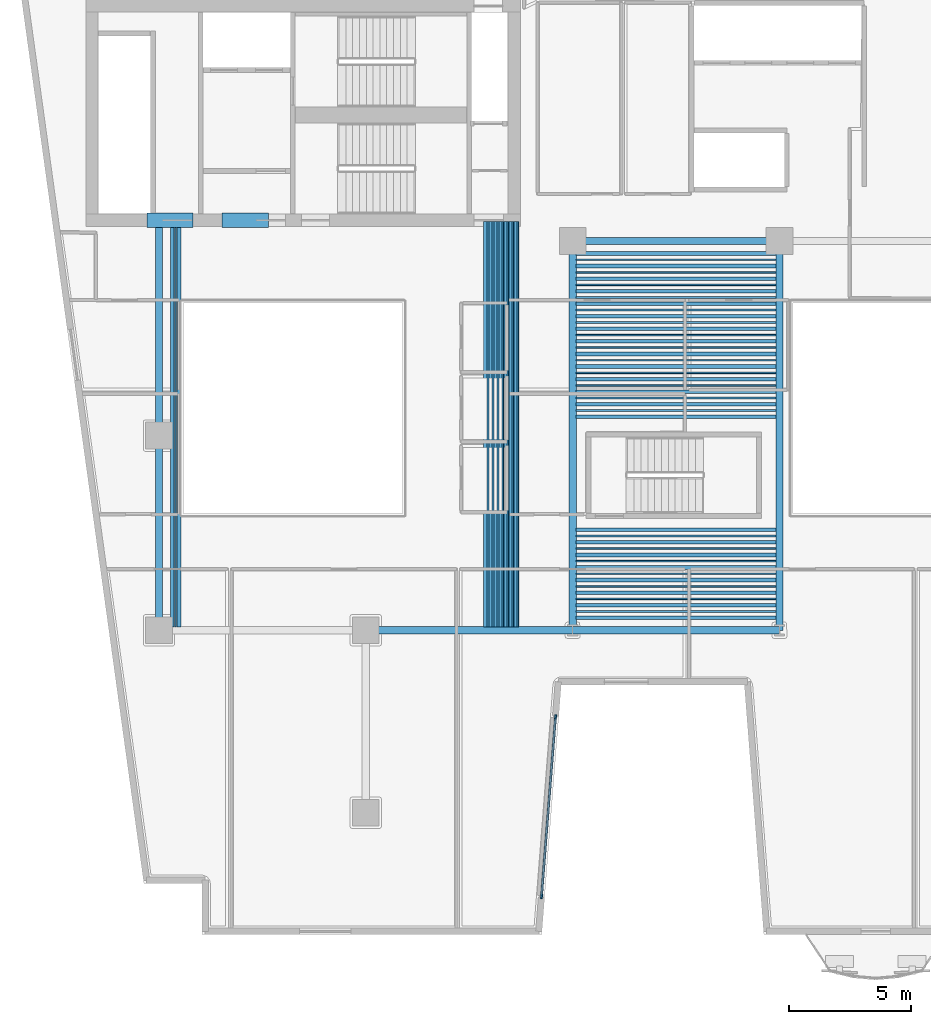
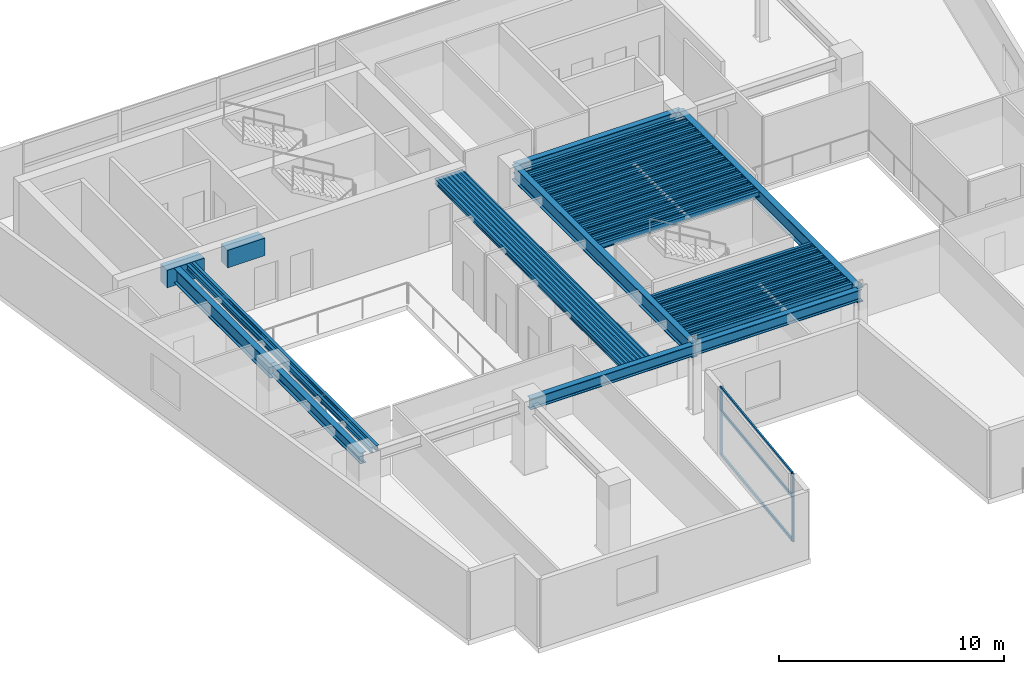
# One storey, part 2 of 13: 68 beams, 5 members, 1 element without a shape of its own.
"""IFC4 building model written with IfcOpenShell, lengths in metres."""

import ifcopenshell
import ifcopenshell.guid

model = None  # the IFC model being written
_history = None  # IfcOwnerHistory: only IFC2X3 demands one
_inside = {}  # id of a spatial element -> (the spatial element, [elements in it])
_under = {}  # id of a project, library or spatial element -> (it, [spatial elements below it])
_declared = {}  # id of a project -> (the project, [libraries it declares])
_typed = {}  # id of a type object -> (the type object, [elements of that type])
_made_of = {}  # id of a material, layer set ... -> (it, [elements and type objects made of it])


def new_model(schema):
    """Start an empty IFC model of exactly this schema.

    Asked for "IFC4X3", IfcOpenShell would pick the latest addendum, in which some entities
    have other attributes; the version numbers below select the first issue.
    IFC2X3 requires an IfcOwnerHistory on every rooted entity: one is made here for all.
    """
    global model, _history
    if schema == "IFC4X3":
        model = ifcopenshell.file(schema_version=(4, 3, 0, 0))
    else:
        model = ifcopenshell.file(schema=schema)
    _inside.clear()
    _under.clear()
    _declared.clear()
    _typed.clear()
    _made_of.clear()
    _history = None
    if model.schema == "IFC2X3":
        org = make("IfcOrganization", Name="unknown")
        user = make(
            "IfcPersonAndOrganization",
            ThePerson=make("IfcPerson", FamilyName="unknown"),
            TheOrganization=org,
        )
        app = make(
            "IfcApplication",
            ApplicationDeveloper=org,
            Version="unknown",
            ApplicationFullName="unknown",
            ApplicationIdentifier="unknown",
        )
        _history = make(
            "IfcOwnerHistory",
            OwningUser=user,
            OwningApplication=app,
            ChangeAction="ADDED",
            CreationDate=0,
        )
    return model


def make(cls, **values):
    """One entity of the class cls with the attributes given. An attribute that is None is left unset."""
    return model.create_entity(
        cls, **{name: value for name, value in values.items() if value is not None}
    )


def rooted(cls, **values):
    """An entity with a GlobalId (a new one), such as an element, a storey or a relation."""
    return make(cls, GlobalId=ifcopenshell.guid.new(), OwnerHistory=_history, **values)


def si_unit(unit_type, name, prefix=None):
    """IfcSIUnit, for example si_unit("LENGTHUNIT", "METRE", prefix="MILLI")."""
    return make("IfcSIUnit", UnitType=unit_type, Prefix=prefix, Name=name)


def assignment(units):
    """IfcUnitAssignment: the units of a project."""
    return None if units is None else make("IfcUnitAssignment", Units=units)


def point(xyz):
    """IfcCartesianPoint."""
    return None if xyz is None else make("IfcCartesianPoint", Coordinates=xyz)


def direction(xyz):
    """IfcDirection."""
    return None if xyz is None else make("IfcDirection", DirectionRatios=xyz)


def frame(location, z_axis=None, x_axis=None):
    """IfcAxis2Placement3D, a coordinate frame: its origin and axes. An axis left out is left unset."""
    return make(
        "IfcAxis2Placement3D",
        Location=point(location),
        Axis=direction(z_axis),
        RefDirection=direction(x_axis),
    )


def frame_2d(location, x_axis=None):
    """IfcAxis2Placement2D, a coordinate frame in the plane: its origin and x axis."""
    return make(
        "IfcAxis2Placement2D", Location=point(location), RefDirection=direction(x_axis)
    )


def origin():
    """The frame at (0, 0, 0) with its axes left unset."""
    return frame((0.0, 0.0, 0.0))


def origin_2d():
    """The frame at (0, 0) in the plane with its x axis left unset."""
    return frame_2d((0.0, 0.0))


def place(relative_to, where):
    """IfcLocalPlacement: puts the frame where relative to a parent placement (None: the world)."""
    return make(
        "IfcLocalPlacement", PlacementRelTo=relative_to, RelativePlacement=where
    )


def context(
    kind, dimensions, precision=None, world=None, true_north=None, identifier=None
):
    """IfcGeometricRepresentationContext, for example the 3D "Model" context."""
    return make(
        "IfcGeometricRepresentationContext",
        ContextIdentifier=identifier,
        ContextType=kind,
        CoordinateSpaceDimension=dimensions,
        Precision=precision,
        WorldCoordinateSystem=world,
        TrueNorth=true_north,
    )


def subcontext(parent, identifier, kind, view, scale=None):
    """IfcGeometricRepresentationSubContext, for example "Body" below "Model"."""
    return make(
        "IfcGeometricRepresentationSubContext",
        ContextIdentifier=identifier,
        ContextType=kind,
        ParentContext=parent,
        TargetScale=scale,
        TargetView=view,
    )


def project(units=None, contexts=None):
    """IfcProject with its units and contexts."""
    return rooted(
        "IfcProject",
        Name="project",
        RepresentationContexts=contexts,
        UnitsInContext=assignment(units),
    )


def spatial(cls, under=None, at=None, **own):
    """A site, building, storey or space (cls), placed at a placement, below another one or the project."""
    s = rooted(cls, ObjectPlacement=at, **own)
    if under is not None:
        _under.setdefault(under.id(), (under, []))[1].append(s)
    return s


def profile(cls, at=None, kind="AREA", **sizes):
    """A parametric profile (cls). Its sizes go by their IFC names, for example OverallWidth=200.0."""
    return make(cls, ProfileType=kind, Position=at, **sizes)


def rectangle(**sizes):
    """IfcRectangleProfileDef."""
    return profile("IfcRectangleProfileDef", **sizes)


def hollow_rectangle(**sizes):
    """IfcRectangleHollowProfileDef."""
    return profile("IfcRectangleHollowProfileDef", **sizes)


def i_section(**sizes):
    """IfcIShapeProfileDef."""
    return profile("IfcIShapeProfileDef", **sizes)


def extrude(swept, where, along, depth):
    """IfcExtrudedAreaSolid: the profile swept, set in the frame where, extruded along a direction by depth."""
    return make(
        "IfcExtrudedAreaSolid",
        SweptArea=swept,
        Position=where,
        ExtrudedDirection=direction(along),
        Depth=depth,
    )


def shape(context_of_items, identifier, shape_type, items):
    """IfcShapeRepresentation: the items that make up one representation, for example the "Body"."""
    return make(
        "IfcShapeRepresentation",
        ContextOfItems=context_of_items,
        RepresentationIdentifier=identifier,
        RepresentationType=shape_type,
        Items=items,
    )


def material(Name=None, Category=None):
    """IfcMaterial."""
    return make("IfcMaterial", Name=Name, Category=Category)


def layer(
    of_material, thickness, ventilated=None, Name=None, Category=None, Priority=None
):
    """IfcMaterialLayer: one layer of a wall or slab, of a material (None: an air gap)."""
    return make(
        "IfcMaterialLayer",
        Material=of_material,
        LayerThickness=thickness,
        IsVentilated=ventilated,
        Name=Name,
        Category=Category,
        Priority=Priority,
    )


def layer_set(layers, Name=None):
    """IfcMaterialLayerSet."""
    return make("IfcMaterialLayerSet", MaterialLayers=layers, LayerSetName=Name)


def material_profile(
    of_material, cross_section, Name=None, Category=None, Priority=None
):
    """IfcMaterialProfile: a cross section and its material."""
    return make(
        "IfcMaterialProfile",
        Name=Name,
        Material=of_material,
        Profile=cross_section,
        Priority=Priority,
        Category=Category,
    )


def profile_set(profiles, Name=None, composite=None):
    """IfcMaterialProfileSet."""
    return make(
        "IfcMaterialProfileSet",
        Name=Name,
        MaterialProfiles=profiles,
        CompositeProfile=composite,
    )


def made_of(thing, what):
    """Note that an element or type object is made of a material, layer set ...; save() writes the relation."""
    if what is not None:
        _made_of.setdefault(what.id(), (what, []))[1].append(thing)
    return thing


def type_object(cls, material=None, **own):
    """A type object (cls), such as IfcWallType, which elements share."""
    return made_of(rooted(cls, **own), material)


def element(
    cls,
    number,
    at=None,
    inside=None,
    cuts=None,
    type_object=None,
    material=None,
    context=None,
    identifier="Body",
    shape_type=None,
    held_by="IfcProductDefinitionShape",
    body=None,
    shapes=None,
    **own,
):
    """One element of the class cls, such as IfcWall. Its Tag is "e" and its number.

    at: its placement. inside: the storey or other place that contains it. cuts: it is an
    opening in that element (IfcRelVoidsElement). A single representation is given by context,
    identifier, shape_type and body (its items); several are given by shapes. held_by: the class
    of the entity that holds the representations. save() writes the other relations.
    """
    e = rooted(cls, Tag="e%d" % number, ObjectPlacement=at, **own)
    if body is not None:
        shapes = [shape(context, identifier, shape_type, body)]
    if shapes is not None:
        e.Representation = make(held_by, Representations=shapes)
    if inside is not None:
        _inside.setdefault(inside.id(), (inside, []))[1].append(e)
    if cuts is not None:
        rooted(
            "IfcRelVoidsElement", RelatingBuildingElement=cuts, RelatedOpeningElement=e
        )
    if type_object is not None:
        _typed.setdefault(type_object.id(), (type_object, []))[1].append(e)
    return made_of(e, material)


def aggregate(whole, parts):
    """IfcRelAggregates: a whole, such as a stair, and the parts it consists of."""
    return rooted("IfcRelAggregates", RelatingObject=whole, RelatedObjects=parts)


def save(model, path):
    """Write the relations noted so far, then the file.

    IfcRelAggregates (storeys below a building ...), IfcRelContainedInSpatialStructure (elements
    in a storey), IfcRelDefinesByType, IfcRelAssociatesMaterial and IfcRelDeclares: one each for
    every whole, place, type object, material and project.
    """
    for whole, parts in _under.values():
        aggregate(whole, parts)
    for where, things in _inside.values():
        rooted(
            "IfcRelContainedInSpatialStructure",
            RelatedElements=things,
            RelatingStructure=where,
        )
    for kind, things in _typed.values():
        rooted("IfcRelDefinesByType", RelatedObjects=things, RelatingType=kind)
    for what, things in _made_of.values():
        rooted("IfcRelAssociatesMaterial", RelatedObjects=things, RelatingMaterial=what)
    for by, libraries in _declared.values():
        rooted("IfcRelDeclares", RelatingContext=by, RelatedDefinitions=libraries)
    model.write(path)


model = new_model("IFC4")

# Units and contexts
model_context = context("Model", 3, precision=1e-05, world=origin(), true_north=direction((0.0, 1.0)))
body_context = subcontext(model_context, "Body", "Model", "MODEL_VIEW")
ifc_project = project(units=[si_unit("LENGTHUNIT", "METRE"), si_unit("AREAUNIT", "SQUARE_METRE"), si_unit("VOLUMEUNIT", "CUBIC_METRE"), si_unit("PLANEANGLEUNIT", "RADIAN"), si_unit("MASSUNIT", "GRAM", prefix="KILO")], contexts=[model_context])

# Site, building, storey
site_placement = place(None, origin())
site = spatial("IfcSite", under=ifc_project, at=site_placement, CompositionType="ELEMENT")
building_placement = place(site_placement, origin())
building = spatial("IfcBuilding", under=site, at=building_placement, Name="Caeloran Harvest Quay", CompositionType="ELEMENT")
storey_placement = place(building_placement, frame((0.0, 0.0, 162.75)))
storey = spatial("IfcBuildingStorey", under=building, at=storey_placement, Name="L38", CompositionType="ELEMENT", Elevation=162.75)

# Beams
ifc_material_1 = material(Name="Concrete C60/75", Category="concrete")
ifc_material_profile_1 = material_profile(ifc_material_1, rectangle(XDim=0.60009765625, YDim=0.949951171875, at=origin_2d()), Name="RC 600x950")
ifc_profile_set_1 = profile_set([ifc_material_profile_1], Name="Concrete C60/75")
beam_type_1 = type_object("IfcBeamType", Name="BM-CB-2-RC_600x950", PredefinedType="LINTEL", material=ifc_profile_set_1)
for number, where, z_axis, x_axis, name in (
    (1, (8.0, 31.85009765625, 3.215087890625), (1.0, 0.0, 0.0), (0.0, 1.0, 0.0), "L38 Core Coupling Beam 1"),
    (2, (11.10009765625, 31.85009765625, 3.215087890625), (1.0, 0.0, 0.0), (0.0, 1.0, 0.0), "L38 Core Coupling Beam 2"),
):
    element("IfcBeam", number, at=place(storey_placement, frame(where, z_axis=z_axis, x_axis=x_axis)), inside=storey, type_object=beam_type_1, Name=name, PredefinedType="LINTEL", context=body_context, shape_type="SweptSolid", body=[
        extrude(rectangle(XDim=0.60009765625, YDim=0.949951171875, at=origin_2d()), origin(), (0.0, 0.0, 1.0), 1.89990234375),
    ])
ifc_material_2 = material(Name="Steel S355J2", Category="steel")
ifc_material_profile_2 = material_profile(ifc_material_2, i_section(OverallWidth=0.300048828125, OverallDepth=0.800048828125, WebThickness=0.017578125, FlangeThickness=0.032958984375, FilletRadius=0.030029296875, at=origin_2d()), Name="HE 800 B")
ifc_profile_set_2 = profile_set([ifc_material_profile_2], Name="Steel S355J2")
beam_type_2 = type_object("IfcBeamType", Name="BM-PG-1-HE_800_B", PredefinedType="BEAM", material=ifc_profile_set_2)
beam_1_placement = place(storey_placement, frame((8.5, 23.0, 3.2900390625), z_axis=(0.0, 1.0, 0.0), x_axis=(-1.0, 0.0, 0.0)))
element("IfcBeam", 3, at=beam_1_placement, inside=storey, type_object=beam_type_2, Name="L38 Core South Tie Girder X=8.5", PredefinedType="BEAM", context=body_context, shape_type="SweptSolid", body=[
    extrude(i_section(OverallWidth=0.300048828125, OverallDepth=0.800048828125, WebThickness=0.017578125, FlangeThickness=0.032958984375, FilletRadius=0.030029296875, at=origin_2d()), origin(), (0.0, 0.0, 1.0), 8.800048828125),
])
for number, where, z_axis, x_axis, name in (
    (4, (25.5, 15.0, 3.2900390625), (0.0, 1.0, 0.0), (-1.0, 0.0, 0.0), "L38 Primary North-South Girder X=25.5"),
    (5, (34.0, 15.0, 3.2900390625), (0.0, 1.0, 0.0), (-1.0, 0.0, 0.0), "L38 Primary North-South Girder X=34.0"),
):
    element("IfcBeam", number, at=place(storey_placement, frame(where, z_axis=z_axis, x_axis=x_axis)), inside=storey, type_object=beam_type_2, Name=name, PredefinedType="BEAM", context=body_context, shape_type="SweptSolid", body=[
        extrude(i_section(OverallWidth=0.300048828125, OverallDepth=0.800048828125, WebThickness=0.017578125, FlangeThickness=0.032958984375, FilletRadius=0.030029296875, at=origin_2d()), origin(), (0.0, 0.0, 1.0), 16.0),
    ])
ifc_material_profile_3 = material_profile(ifc_material_2, i_section(OverallWidth=0.300048828125, OverallDepth=0.60009765625, WebThickness=0.015380859375, FlangeThickness=0.030029296875, FilletRadius=0.027099609375, at=origin_2d()), Name="HE 600 B")
ifc_profile_set_3 = profile_set([ifc_material_profile_3], Name="Steel S355J2")
beam_type_3 = type_object("IfcBeamType", Name="BM-PG-3-HE_600_B", PredefinedType="BEAM", material=ifc_profile_set_3)
for number, where, z_axis, x_axis, name in (
    (6, (17.0, 15.0, 3.389892578125), (1.0, 0.0, 0.0), (0.0, 1.0, 0.0), "L38 Primary East-West Girder Y=15.0"),
    (7, (25.5, 15.0, 3.389892578125), (1.0, 0.0, 0.0), (0.0, 1.0, 0.0), "L38 Primary East-West Girder Y=15.0"),
    (8, (25.5, 31.0, 3.389892578125), (1.0, 0.0, 0.0), (0.0, 1.0, 0.0), "L38 Primary East-West Girder Y=31.0"),
):
    element("IfcBeam", number, at=place(storey_placement, frame(where, z_axis=z_axis, x_axis=x_axis)), inside=storey, type_object=beam_type_3, Name=name, PredefinedType="BEAM", context=body_context, shape_type="SweptSolid", body=[
        extrude(i_section(OverallWidth=0.300048828125, OverallDepth=0.60009765625, WebThickness=0.015380859375, FlangeThickness=0.030029296875, FilletRadius=0.027099609375, at=origin_2d()), origin(), (0.0, 0.0, 1.0), 8.5),
    ])
beam_2_placement = place(storey_placement, frame((8.5, 15.0, 3.389892578125), z_axis=(0.0, 1.0, 0.0), x_axis=(-1.0, 0.0, 0.0)))
element("IfcBeam", 9, at=beam_2_placement, inside=storey, type_object=beam_type_3, Name="L38 Primary North-South Girder X=8.5", PredefinedType="BEAM", context=body_context, shape_type="SweptSolid", body=[
    extrude(i_section(OverallWidth=0.300048828125, OverallDepth=0.60009765625, WebThickness=0.015380859375, FlangeThickness=0.030029296875, FilletRadius=0.027099609375, at=origin_2d()), origin(), (0.0, 0.0, 1.0), 8.0),
])
ifc_material_profile_4 = material_profile(ifc_material_2, i_section(OverallWidth=0.14990234375, OverallDepth=0.300048828125, WebThickness=0.007080078125, FlangeThickness=0.0107421875, FilletRadius=0.014892578125, at=origin_2d()), Name="IPE 300")
ifc_profile_set_4 = profile_set([ifc_material_profile_4], Name="Steel S355J2")
beam_type_4 = type_object("IfcBeamType", Name="BM-SB-6-IPE_300", PredefinedType="JOIST", material=ifc_profile_set_4)
for number, where, z_axis, x_axis, name in (
    (10, (9.04833984375, 15.14501953125, 3.5400390625), (0.0, 1.0, 0.0), (-1.0, 0.0, 0.0), "L38 Secondary Composite Joist"),
    (11, (9.322509765625, 15.14501953125, 3.5400390625), (0.0, 1.0, 0.0), (-1.0, 0.0, 0.0), "L38 Secondary Composite Joist"),
    (12, (21.916015625, 15.14501953125, 3.5400390625), (0.0, 1.0, 0.0), (-1.0, 0.0, 0.0), "L38 Secondary Composite Joist"),
    (13, (22.12109375, 15.14501953125, 3.5400390625), (0.0, 1.0, 0.0), (-1.0, 0.0, 0.0), "L38 Secondary Composite Joist"),
    (14, (22.32568359375, 15.14501953125, 3.5400390625), (0.0, 1.0, 0.0), (-1.0, 0.0, 0.0), "L38 Secondary Composite Joist"),
    (15, (22.530517578125, 15.14501953125, 3.5400390625), (0.0, 1.0, 0.0), (-1.0, 0.0, 0.0), "L38 Secondary Composite Joist"),
    (16, (22.735595703125, 15.14501953125, 3.5400390625), (0.0, 1.0, 0.0), (-1.0, 0.0, 0.0), "L38 Secondary Composite Joist"),
    (17, (22.940185546875, 15.14501953125, 3.5400390625), (0.0, 1.0, 0.0), (-1.0, 0.0, 0.0), "L38 Secondary Composite Joist"),
    (18, (23.145263671875, 15.14501953125, 3.5400390625), (0.0, 1.0, 0.0), (-1.0, 0.0, 0.0), "L38 Secondary Composite Joist"),
):
    element("IfcBeam", number, at=place(storey_placement, frame(where, z_axis=z_axis, x_axis=x_axis)), inside=storey, type_object=beam_type_4, Name=name, PredefinedType="JOIST", context=body_context, shape_type="SweptSolid", body=[
        extrude(i_section(OverallWidth=0.14990234375, OverallDepth=0.300048828125, WebThickness=0.007080078125, FlangeThickness=0.0107421875, FilletRadius=0.014892578125, at=origin_2d()), origin(), (0.0, 0.0, 1.0), 16.655029296875),
    ])
for number, where, z_axis, x_axis, name in (
    (19, (25.64501953125, 15.51611328125, 3.5400390625), (1.0, 0.0, 0.0), (0.0, 1.0, 0.0), "L38 Secondary East-West Composite Joist"),
    (20, (25.64501953125, 16.0322265625, 3.5400390625), (1.0, 0.0, 0.0), (0.0, 1.0, 0.0), "L38 Secondary East-West Composite Joist"),
    (21, (25.64501953125, 16.54833984375, 3.5400390625), (1.0, 0.0, 0.0), (0.0, 1.0, 0.0), "L38 Secondary East-West Composite Joist"),
    (22, (25.64501953125, 17.064453125, 3.5400390625), (1.0, 0.0, 0.0), (0.0, 1.0, 0.0), "L38 Secondary East-West Composite Joist"),
    (23, (25.64501953125, 17.58056640625, 3.5400390625), (1.0, 0.0, 0.0), (0.0, 1.0, 0.0), "L38 Secondary East-West Composite Joist"),
    (24, (25.64501953125, 18.0966796875, 3.5400390625), (1.0, 0.0, 0.0), (0.0, 1.0, 0.0), "L38 Secondary East-West Composite Joist"),
    (25, (25.64501953125, 18.61279296875, 3.5400390625), (1.0, 0.0, 0.0), (0.0, 1.0, 0.0), "L38 Secondary East-West Composite Joist"),
    (26, (25.64501953125, 19.12890625, 3.5400390625), (1.0, 0.0, 0.0), (0.0, 1.0, 0.0), "L38 Secondary East-West Composite Joist"),
    (27, (25.64501953125, 23.774169921875, 3.5400390625), (1.0, 0.0, 0.0), (0.0, 1.0, 0.0), "L38 Secondary East-West Composite Joist"),
    (28, (25.64501953125, 24.290283203125, 3.5400390625), (1.0, 0.0, 0.0), (0.0, 1.0, 0.0), "L38 Secondary East-West Composite Joist"),
    (29, (25.64501953125, 24.806396484375, 3.5400390625), (1.0, 0.0, 0.0), (0.0, 1.0, 0.0), "L38 Secondary East-West Composite Joist"),
    (30, (25.64501953125, 25.322509765625, 3.5400390625), (1.0, 0.0, 0.0), (0.0, 1.0, 0.0), "L38 Secondary East-West Composite Joist"),
    (31, (25.64501953125, 25.838623046875, 3.5400390625), (1.0, 0.0, 0.0), (0.0, 1.0, 0.0), "L38 Secondary East-West Composite Joist"),
    (32, (25.64501953125, 26.354736328125, 3.5400390625), (1.0, 0.0, 0.0), (0.0, 1.0, 0.0), "L38 Secondary East-West Composite Joist"),
    (33, (25.64501953125, 26.87109375, 3.5400390625), (1.0, 0.0, 0.0), (0.0, 1.0, 0.0), "L38 Secondary East-West Composite Joist"),
    (34, (25.64501953125, 27.38720703125, 3.5400390625), (1.0, 0.0, 0.0), (0.0, 1.0, 0.0), "L38 Secondary East-West Composite Joist"),
    (35, (25.64501953125, 27.9033203125, 3.5400390625), (1.0, 0.0, 0.0), (0.0, 1.0, 0.0), "L38 Secondary East-West Composite Joist"),
    (36, (25.64501953125, 28.41943359375, 3.5400390625), (1.0, 0.0, 0.0), (0.0, 1.0, 0.0), "L38 Secondary East-West Composite Joist"),
    (37, (25.64501953125, 28.935546875, 3.5400390625), (1.0, 0.0, 0.0), (0.0, 1.0, 0.0), "L38 Secondary East-West Composite Joist"),
    (38, (25.64501953125, 29.45166015625, 3.5400390625), (1.0, 0.0, 0.0), (0.0, 1.0, 0.0), "L38 Secondary East-West Composite Joist"),
    (39, (25.64501953125, 29.9677734375, 3.5400390625), (1.0, 0.0, 0.0), (0.0, 1.0, 0.0), "L38 Secondary East-West Composite Joist"),
    (40, (25.64501953125, 30.48388671875, 3.5400390625), (1.0, 0.0, 0.0), (0.0, 1.0, 0.0), "L38 Secondary East-West Composite Joist"),
):
    element("IfcBeam", number, at=place(storey_placement, frame(where, z_axis=z_axis, x_axis=x_axis)), inside=storey, type_object=beam_type_4, Name=name, PredefinedType="JOIST", context=body_context, shape_type="SweptSolid", body=[
        extrude(i_section(OverallWidth=0.14990234375, OverallDepth=0.300048828125, WebThickness=0.007080078125, FlangeThickness=0.0107421875, FilletRadius=0.014892578125, at=origin_2d()), origin(), (0.0, 0.0, 1.0), 8.2099609375),
    ])
ifc_material_profile_5 = material_profile(ifc_material_2, hollow_rectangle(XDim=0.080078125, YDim=0.199951171875, WallThickness=0.006103515625, InnerFilletRadius=0.006103515625, OuterFilletRadius=0.009033203125, at=origin_2d()), Name="RHS 200x80x6")
ifc_profile_set_5 = profile_set([ifc_material_profile_5], Name="Steel S355J2")
beam_type_5 = type_object("IfcBeamType", Name="BM-SB-7-RHS_200x80x6", PredefinedType="JOIST", material=ifc_profile_set_5)
for number, where, z_axis, x_axis, name in (
    (41, (9.185546875, 15.14501953125, 3.590087890625), (0.0, 1.0, 0.0), (-1.0, 0.0, 0.0), "L38 Secondary Composite Joist"),
    (42, (22.0185546875, 15.14501953125, 3.590087890625), (0.0, 1.0, 0.0), (-1.0, 0.0, 0.0), "L38 Secondary Composite Joist"),
    (43, (22.223388671875, 15.14501953125, 3.590087890625), (0.0, 1.0, 0.0), (-1.0, 0.0, 0.0), "L38 Secondary Composite Joist"),
    (44, (22.42822265625, 15.14501953125, 3.590087890625), (0.0, 1.0, 0.0), (-1.0, 0.0, 0.0), "L38 Secondary Composite Joist"),
    (45, (22.633056640625, 15.14501953125, 3.590087890625), (0.0, 1.0, 0.0), (-1.0, 0.0, 0.0), "L38 Secondary Composite Joist"),
    (46, (22.837890625, 15.14501953125, 3.590087890625), (0.0, 1.0, 0.0), (-1.0, 0.0, 0.0), "L38 Secondary Composite Joist"),
    (47, (23.042724609375, 15.14501953125, 3.590087890625), (0.0, 1.0, 0.0), (-1.0, 0.0, 0.0), "L38 Secondary Composite Joist"),
    (48, (23.24755859375, 15.14501953125, 3.590087890625), (0.0, 1.0, 0.0), (-1.0, 0.0, 0.0), "L38 Secondary Composite Joist"),
):
    element("IfcBeam", number, at=place(storey_placement, frame(where, z_axis=z_axis, x_axis=x_axis)), inside=storey, type_object=beam_type_5, Name=name, PredefinedType="JOIST", context=body_context, shape_type="SweptSolid", body=[
        extrude(hollow_rectangle(XDim=0.080078125, YDim=0.199951171875, WallThickness=0.006103515625, InnerFilletRadius=0.006103515625, OuterFilletRadius=0.009033203125, at=origin_2d()), origin(), (0.0, 0.0, 1.0), 16.655029296875),
    ])
for number, where, z_axis, x_axis, name in (
    (49, (25.64501953125, 15.774169921875, 3.590087890625), (1.0, 0.0, 0.0), (0.0, 1.0, 0.0), "L38 Secondary East-West Composite Joist"),
    (50, (25.64501953125, 16.290283203125, 3.590087890625), (1.0, 0.0, 0.0), (0.0, 1.0, 0.0), "L38 Secondary East-West Composite Joist"),
    (51, (25.64501953125, 16.806396484375, 3.590087890625), (1.0, 0.0, 0.0), (0.0, 1.0, 0.0), "L38 Secondary East-West Composite Joist"),
    (52, (25.64501953125, 17.322509765625, 3.590087890625), (1.0, 0.0, 0.0), (0.0, 1.0, 0.0), "L38 Secondary East-West Composite Joist"),
    (53, (25.64501953125, 17.838623046875, 3.590087890625), (1.0, 0.0, 0.0), (0.0, 1.0, 0.0), "L38 Secondary East-West Composite Joist"),
    (54, (25.64501953125, 18.354736328125, 3.590087890625), (1.0, 0.0, 0.0), (0.0, 1.0, 0.0), "L38 Secondary East-West Composite Joist"),
    (55, (25.64501953125, 18.87109375, 3.590087890625), (1.0, 0.0, 0.0), (0.0, 1.0, 0.0), "L38 Secondary East-West Composite Joist"),
    (56, (25.64501953125, 24.0322265625, 3.590087890625), (1.0, 0.0, 0.0), (0.0, 1.0, 0.0), "L38 Secondary East-West Composite Joist"),
    (57, (25.64501953125, 24.54833984375, 3.590087890625), (1.0, 0.0, 0.0), (0.0, 1.0, 0.0), "L38 Secondary East-West Composite Joist"),
    (58, (25.64501953125, 25.064453125, 3.590087890625), (1.0, 0.0, 0.0), (0.0, 1.0, 0.0), "L38 Secondary East-West Composite Joist"),
    (59, (25.64501953125, 25.58056640625, 3.590087890625), (1.0, 0.0, 0.0), (0.0, 1.0, 0.0), "L38 Secondary East-West Composite Joist"),
    (60, (25.64501953125, 26.0966796875, 3.590087890625), (1.0, 0.0, 0.0), (0.0, 1.0, 0.0), "L38 Secondary East-West Composite Joist"),
    (61, (25.64501953125, 26.61279296875, 3.590087890625), (1.0, 0.0, 0.0), (0.0, 1.0, 0.0), "L38 Secondary East-West Composite Joist"),
    (62, (25.64501953125, 27.12890625, 3.590087890625), (1.0, 0.0, 0.0), (0.0, 1.0, 0.0), "L38 Secondary East-West Composite Joist"),
    (63, (25.64501953125, 27.645263671875, 3.590087890625), (1.0, 0.0, 0.0), (0.0, 1.0, 0.0), "L38 Secondary East-West Composite Joist"),
    (64, (25.64501953125, 28.161376953125, 3.590087890625), (1.0, 0.0, 0.0), (0.0, 1.0, 0.0), "L38 Secondary East-West Composite Joist"),
    (65, (25.64501953125, 28.677490234375, 3.590087890625), (1.0, 0.0, 0.0), (0.0, 1.0, 0.0), "L38 Secondary East-West Composite Joist"),
    (66, (25.64501953125, 29.193603515625, 3.590087890625), (1.0, 0.0, 0.0), (0.0, 1.0, 0.0), "L38 Secondary East-West Composite Joist"),
    (67, (25.64501953125, 29.709716796875, 3.590087890625), (1.0, 0.0, 0.0), (0.0, 1.0, 0.0), "L38 Secondary East-West Composite Joist"),
    (68, (25.64501953125, 30.225830078125, 3.590087890625), (1.0, 0.0, 0.0), (0.0, 1.0, 0.0), "L38 Secondary East-West Composite Joist"),
):
    element("IfcBeam", number, at=place(storey_placement, frame(where, z_axis=z_axis, x_axis=x_axis)), inside=storey, type_object=beam_type_5, Name=name, PredefinedType="JOIST", context=body_context, shape_type="SweptSolid", body=[
        extrude(hollow_rectangle(XDim=0.080078125, YDim=0.199951171875, WallThickness=0.006103515625, InnerFilletRadius=0.006103515625, OuterFilletRadius=0.009033203125, at=origin_2d()), origin(), (0.0, 0.0, 1.0), 8.2099609375),
    ])

# Curtain wall, members
ifc_material_3 = material(Name="Aluminium 6063-T6 and Low-E Glazing", Category="aluminium")
ifc_layer = layer(ifc_material_3, 0.22998046875, Name="Aluminium 6063-T6 and Low-E Glazing")
ifc_layer_set = layer_set([ifc_layer], Name="Aluminium 6063-T6 and Low-E Glazing")
curtain_wall_type = type_object("IfcCurtainWallType", Name="CW-SYS-CW-6", PredefinedType="USERDEFINED", material=ifc_layer_set)
curtain_wall_placement = place(storey_placement, origin())
curtain_wall = element("IfcCurtainWall", 69, at=curtain_wall_placement, inside=storey, type_object=curtain_wall_type, Name="L38 Unitised Curtain Wall CW-6 Run 15", ObjectType="CURTAIN_WALL", PredefinedType="USERDEFINED")
ifc_material_4 = material(Name="Aluminium 6063-T6", Category="aluminium")
ifc_material_profile_6 = material_profile(ifc_material_4, rectangle(XDim=0.080078125, YDim=0.179931640625, at=origin_2d()), Name="CW-MULLION-180")
ifc_profile_set_6 = profile_set([ifc_material_profile_6], Name="Aluminium 6063-T6")
member_type_1 = type_object("IfcMemberType", Name="CW-MULLION-180", PredefinedType="MULLION", material=ifc_profile_set_6)
member_1_placement = place(storey_placement, frame((24.7978515625, 11.4443359375, 0.0), z_axis=(0.0, 0.0, 1.0), x_axis=(0.996967280277, -0.077821861046, 0.0)))
member_1 = element("IfcMember", 70, at=member_1_placement, type_object=member_type_1, Name="CW-6 mullion 1", PredefinedType="MULLION", context=body_context, shape_type="SweptSolid", body=[
    extrude(rectangle(XDim=0.080078125, YDim=0.179931640625, at=origin_2d()), origin(), (0.0, 0.0, 1.0), 3.68994140625),
])
member_2_placement = place(storey_placement, frame((24.221923828125, 4.065673828125, 0.0), z_axis=(0.0, 0.0, 1.0), x_axis=(0.996967280277, -0.077821861046, 0.0)))
member_2 = element("IfcMember", 71, at=member_2_placement, type_object=member_type_1, Name="CW-6 mullion 2", PredefinedType="MULLION", context=body_context, shape_type="SweptSolid", body=[
    extrude(rectangle(XDim=0.080078125, YDim=0.179931640625, at=origin_2d()), origin(), (0.0, 0.0, 1.0), 3.68994140625),
])
ifc_material_profile_7 = material_profile(ifc_material_4, rectangle(XDim=0.080078125, YDim=0.14990234375, at=origin_2d()), Name="CW-TRANSOM-150")
ifc_profile_set_7 = profile_set([ifc_material_profile_7], Name="Aluminium 6063-T6")
member_type_2 = type_object("IfcMemberType", Name="CW-TRANSOM-150", PredefinedType="USERDEFINED", material=ifc_profile_set_7)
member_3_placement = place(storey_placement, frame((24.794677734375, 11.404541015625, 0.0400390625), z_axis=(-0.077831218093, -0.996966549835, 0.0), x_axis=(0.996966549835, -0.077831218093, 0.0)))
member_3 = element("IfcMember", 72, at=member_3_placement, type_object=member_type_2, Name="CW-6 transom 1.1", ObjectType="TRANSOM", PredefinedType="USERDEFINED", context=body_context, shape_type="SweptSolid", body=[
    extrude(rectangle(XDim=0.080078125, YDim=0.14990234375, at=origin_2d()), origin(), (0.0, 0.0, 1.0), 7.3212890625),
])
member_4_placement = place(storey_placement, frame((24.794677734375, 11.404541015625, 2.39990234375), z_axis=(-0.077831218093, -0.996966549835, 0.0), x_axis=(0.996966549835, -0.077831218093, 0.0)))
member_4 = element("IfcMember", 73, at=member_4_placement, type_object=member_type_2, Name="CW-6 transom 1.2", ObjectType="TRANSOM", PredefinedType="USERDEFINED", context=body_context, shape_type="SweptSolid", body=[
    extrude(rectangle(XDim=0.080078125, YDim=0.14990234375, at=origin_2d()), origin(), (0.0, 0.0, 1.0), 7.3212890625),
])
member_5_placement = place(storey_placement, frame((24.794677734375, 11.404541015625, 3.64990234375), z_axis=(-0.077831218093, -0.996966549835, 0.0), x_axis=(0.996966549835, -0.077831218093, 0.0)))
member_5 = element("IfcMember", 74, at=member_5_placement, type_object=member_type_2, Name="CW-6 transom 1.3", ObjectType="TRANSOM", PredefinedType="USERDEFINED", context=body_context, shape_type="SweptSolid", body=[
    extrude(rectangle(XDim=0.080078125, YDim=0.14990234375, at=origin_2d()), origin(), (0.0, 0.0, 1.0), 7.3212890625),
])
aggregate(curtain_wall, [member_1, member_2, member_3, member_4, member_5])

save(model, "model.ifc")
